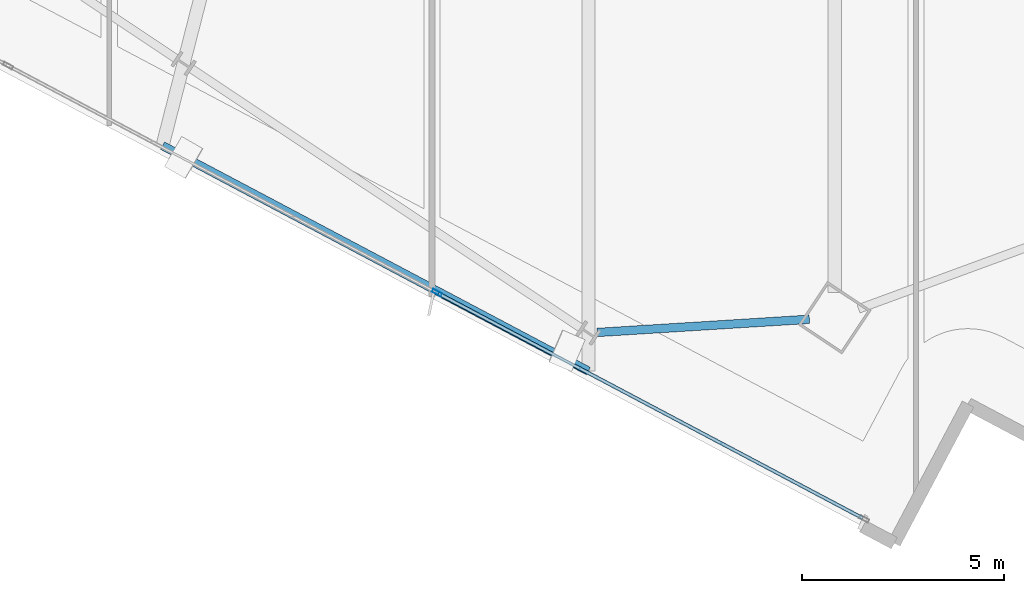
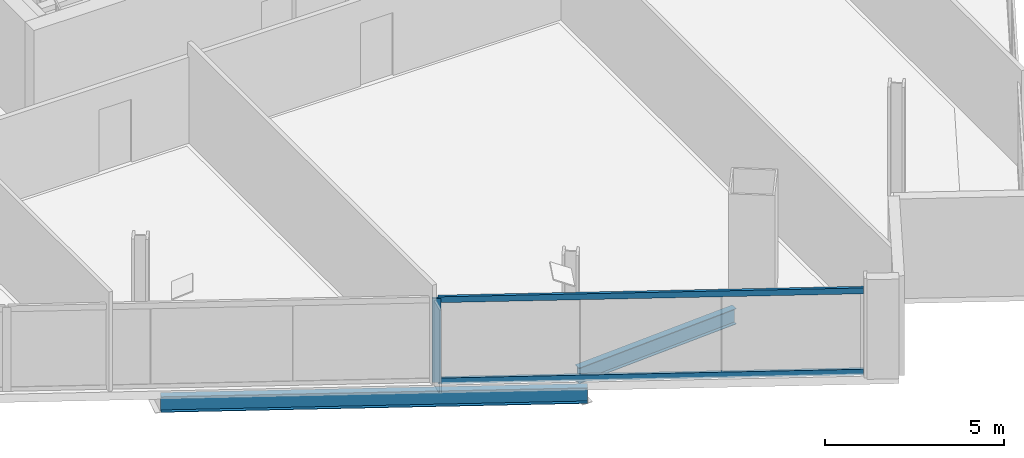
# One storey, part 3 of 28: 3 members, 2 beams, 1 element without a shape of its own.
"""IFC4 building model written with IfcOpenShell, lengths in metres."""

from ifc_helpers import new_model, si_unit, direction, frame, origin, origin_2d, place, context, subcontext, project, spatial, hollow_rectangle, i_section, extrude, material, material_profile, profile_set, type_object, element, aggregate, save


model = new_model("IFC4")

# Units and contexts
model_context = context("Model", 3, precision=1e-05, world=origin(), true_north=direction((0.0, 1.0)))
body_context = subcontext(model_context, "Body", "Model", "MODEL_VIEW")
ifc_project = project(units=[si_unit("LENGTHUNIT", "METRE"), si_unit("AREAUNIT", "SQUARE_METRE"), si_unit("VOLUMEUNIT", "CUBIC_METRE"), si_unit("PLANEANGLEUNIT", "RADIAN"), si_unit("MASSUNIT", "GRAM", prefix="KILO")], contexts=[model_context])

# Site, building, storey
site_placement = place(None, origin())
site = spatial("IfcSite", under=ifc_project, at=site_placement, CompositionType="ELEMENT")
building_placement = place(site_placement, origin())
building = spatial("IfcBuilding", under=site, at=building_placement, Name="Haldenkirk Collegiate Tower", CompositionType="ELEMENT")
storey_placement = place(building_placement, frame((0.0, 0.0, 235.949951171875)))
storey = spatial("IfcBuildingStorey", under=building, at=storey_placement, Name="L59", CompositionType="ELEMENT", Elevation=235.949951171875)

# Beams
ifc_material_1 = material(Name="Steel ASTM A992 Grade 50", Category="steel")
ifc_material_profile_1 = material_profile(ifc_material_1, i_section(OverallWidth=0.2099609375, OverallDepth=0.537109375, WebThickness=0.010986328125, FlangeThickness=0.017333984375, at=origin_2d()), Name="W21X68")
ifc_profile_set_1 = profile_set([ifc_material_profile_1], Name="Steel ASTM A992 Grade 50")
beam_type = type_object("IfcBeamType", Name="BM-SPANDREL-W21X68", PredefinedType="SPANDREL", material=ifc_profile_set_1)
beam_1_placement = place(storey_placement, frame((34.59326171875, 0.966064453125, -0.54833984375), z_axis=(0.99806607268, 0.062162002577, 0.0), x_axis=(-0.062162002577, 0.99806607268, 0.0)))
element("IfcBeam", 1, at=beam_1_placement, inside=storey, type_object=beam_type, Name="L59 perimeter spandrel beam 16", PredefinedType="SPANDREL", context=body_context, shape_type="SweptSolid", body=[
    extrude(i_section(OverallWidth=0.2099609375, OverallDepth=0.537109375, WebThickness=0.010986328125, FlangeThickness=0.017333984375, at=origin_2d()), origin(), (0.0, 0.0, 1.0), 5.270751953125),
])
beam_2_placement = place(storey_placement, frame((23.822021484375, 5.596923828125, -0.54833984375), z_axis=(0.883767031041, -0.467927168313, 0.0), x_axis=(0.467927168313, 0.883767031041, 0.0)))
element("IfcBeam", 2, at=beam_2_placement, inside=storey, type_object=beam_type, Name="L59 outer facade edge beam 4", PredefinedType="SPANDREL", context=body_context, shape_type="SweptSolid", body=[
    extrude(i_section(OverallWidth=0.2099609375, OverallDepth=0.537109375, WebThickness=0.010986328125, FlangeThickness=0.017333984375, at=origin_2d()), origin(), (0.0, 0.0, 1.0), 11.94287109375),
])

# Curtain wall, members
ifc_material_2 = material(Name="Anodised architectural bronze aluminium", Category="aluminium")
curtain_wall_type = type_object("IfcCurtainWallType", Name="CW-SYS1B-CONVEX-HI", PredefinedType="USERDEFINED", material=ifc_material_2)
curtain_wall_placement = place(storey_placement, origin())
curtain_wall = element("IfcCurtainWall", 3, at=curtain_wall_placement, inside=storey, type_object=curtain_wall_type, Name="L59 Upper tower high-wind convex bronze unitised curtain wall", ObjectType="UNITISED CURTAIN WALL", PredefinedType="USERDEFINED")
ifc_material_profile_2 = material_profile(ifc_material_2, hollow_rectangle(XDim=0.0849609375, YDim=0.25, WallThickness=0.0048828125, at=origin_2d()), Name="CW-MUL-1B")
ifc_profile_set_2 = profile_set([ifc_material_profile_2], Name="Anodised architectural bronze aluminium")
member_type_1 = type_object("IfcMemberType", Name="CW-MUL-1B", PredefinedType="MULLION", material=ifc_profile_set_2)
member_1_placement = place(storey_placement, frame((30.621826171875, 1.951416015625, 0.0), z_axis=(0.0, 0.0, 1.0), x_axis=(-0.467931023072, -0.883764990055, 0.0)))
member_1 = element("IfcMember", 4, at=member_1_placement, type_object=member_type_1, Name="CW-1B mullion 2", PredefinedType="MULLION", context=body_context, shape_type="SweptSolid", body=[
    extrude(hollow_rectangle(XDim=0.0849609375, YDim=0.25, WallThickness=0.0048828125, at=origin_2d()), origin(), (0.0, 0.0, 1.0), 2.858154296875),
])
ifc_material_profile_3 = material_profile(ifc_material_2, hollow_rectangle(XDim=0.0849609375, YDim=0.199951171875, WallThickness=0.0048828125, at=origin_2d()), Name="CW-TRN-1B")
ifc_profile_set_3 = profile_set([ifc_material_profile_3], Name="Anodised architectural bronze aluminium")
member_type_2 = type_object("IfcMemberType", Name="CW-TRN-1B", PredefinedType="USERDEFINED", material=ifc_profile_set_3)
member_2_placement = place(storey_placement, frame((41.173828125, -3.6357421875, 0.04248046875), z_axis=(-0.883768449024, 0.46792449018, 0.0), x_axis=(-0.46792449018, -0.883768449024, 0.0)))
member_2 = element("IfcMember", 5, at=member_2_placement, type_object=member_type_2, Name="CW-1B transom 1.1", ObjectType="TRANSOM", PredefinedType="USERDEFINED", context=body_context, shape_type="SweptSolid", body=[
    extrude(hollow_rectangle(XDim=0.0849609375, YDim=0.199951171875, WallThickness=0.0048828125, at=origin_2d()), origin(), (0.0, 0.0, 1.0), 11.8974609375),
])
member_3_placement = place(storey_placement, frame((41.173828125, -3.6357421875, 2.8154296875), z_axis=(-0.883768449024, 0.46792449018, 0.0), x_axis=(-0.46792449018, -0.883768449024, 0.0)))
member_3 = element("IfcMember", 6, at=member_3_placement, type_object=member_type_2, Name="CW-1B transom 1.2", ObjectType="TRANSOM", PredefinedType="USERDEFINED", context=body_context, shape_type="SweptSolid", body=[
    extrude(hollow_rectangle(XDim=0.0849609375, YDim=0.199951171875, WallThickness=0.0048828125, at=origin_2d()), origin(), (0.0, 0.0, 1.0), 11.8974609375),
])
aggregate(curtain_wall, [member_1, member_2, member_3])

save(model, "model.ifc")
